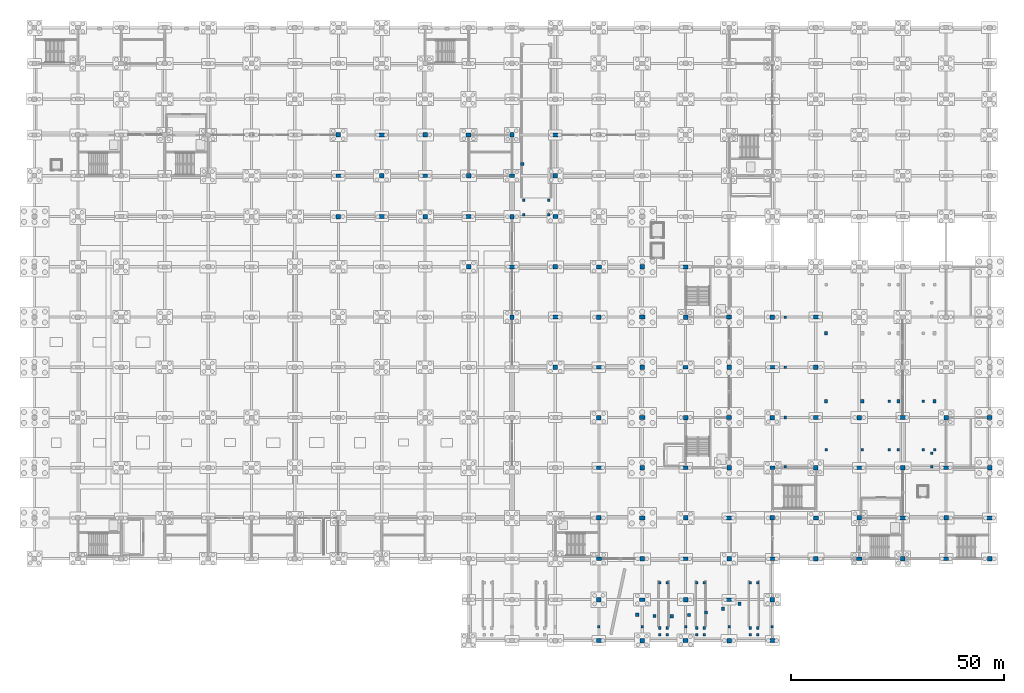
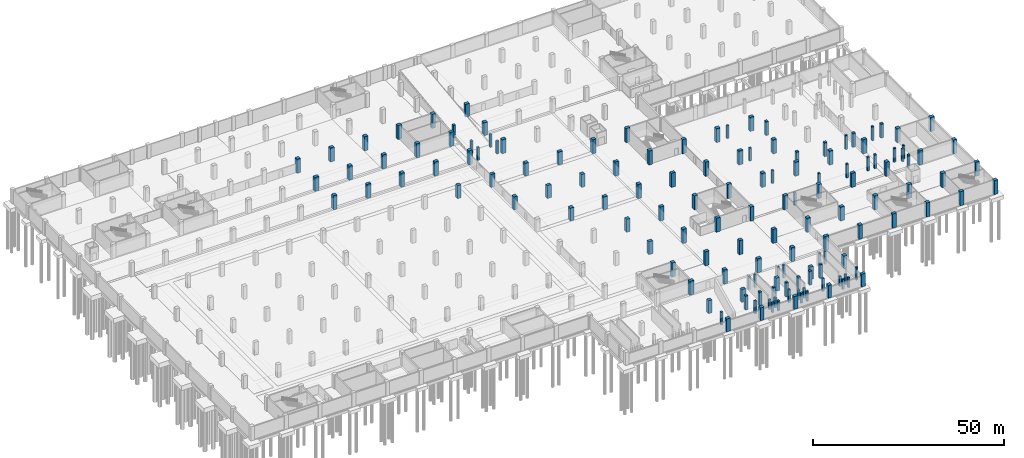
# One storey, part 23 of 52: 143 columns.
"""IFC4 building model written with IfcOpenShell, lengths in metres."""

from ifc_helpers import new_model, si_unit, direction, frame, origin, origin_2d, place, context, subcontext, project, spatial, rectangle, extrude, material, material_profile, profile_set, type_object, element, save


model = new_model("IFC4")

# Units and contexts
model_context = context("Model", 3, precision=1e-05, world=origin(), true_north=direction((0.0, 1.0)))
body_context = subcontext(model_context, "Body", "Model", "MODEL_VIEW")
ifc_project = project(units=[si_unit("LENGTHUNIT", "METRE"), si_unit("AREAUNIT", "SQUARE_METRE"), si_unit("VOLUMEUNIT", "CUBIC_METRE"), si_unit("PLANEANGLEUNIT", "RADIAN"), si_unit("MASSUNIT", "GRAM", prefix="KILO")], contexts=[model_context])

# Site, building, storey
site_placement = place(None, origin())
site = spatial("IfcSite", under=ifc_project, at=site_placement, CompositionType="ELEMENT")
building_placement = place(site_placement, origin())
building = spatial("IfcBuilding", under=site, at=building_placement, Name="Brelvane Convention Centre", CompositionType="ELEMENT")
storey_placement = place(building_placement, frame((0.0, 0.0, -4.5)))
storey = spatial("IfcBuildingStorey", under=building, at=storey_placement, Name="B1", CompositionType="ELEMENT", Elevation=-4.5)

# Columns
ifc_material_1 = material(Name="Concrete M50", Category="concrete")
ifc_material_profile_1 = material_profile(ifc_material_1, rectangle(XDim=1.050048828125, YDim=1.050048828125, at=origin_2d()), Name="RC 1050x1050")
ifc_profile_set_1 = profile_set([ifc_material_profile_1], Name="Concrete M50")
column_type_1 = type_object("IfcColumnType", Name="RC Column C-RC1 (RC 1050x1050)", PredefinedType="COLUMN", material=ifc_profile_set_1)
for number, where, z_axis, x_axis, name in (
    (1, (71.39990234375, 99.60009765625, 0.0), (0.0, 0.0, 1.0), (1.0, 0.0, 0.0), "Column 8-K (B1)"),
    (2, (71.39990234375, 118.800048828125, 0.0), (0.0, 0.0, 1.0), (1.0, 0.0, 0.0), "Column 8-M (B1)"),
    (3, (81.60009765625, 109.199951171875, 0.0), (0.0, 0.0, 1.0), (1.0, 0.0, 0.0), "Column 9-L (B1)"),
    (4, (91.800048828125, 99.60009765625, 0.0), (0.0, 0.0, 1.0), (1.0, 0.0, 0.0), "Column 10-K (B1)"),
    (5, (91.800048828125, 118.800048828125, 0.0), (0.0, 0.0, 1.0), (1.0, 0.0, 0.0), "Column 10-M (B1)"),
):
    element("IfcColumn", number, at=place(storey_placement, frame(where, z_axis=z_axis, x_axis=x_axis)), inside=storey, type_object=column_type_1, Name=name, PredefinedType="COLUMN", context=body_context, shape_type="SweptSolid", body=[
        extrude(rectangle(XDim=1.050048828125, YDim=1.050048828125, at=origin_2d()), origin(), (0.0, 0.0, 1.0), 4.5),
    ])
column_1_placement = place(storey_placement, frame((102.0, 87.800048828125, 0.0), z_axis=(0.0, 0.0, 1.0), x_axis=(1.0, 0.0, 0.0)))
element("IfcColumn", 6, at=column_1_placement, inside=storey, type_object=column_type_1, Name="Column 11-J (B1)", PredefinedType="COLUMN", context=body_context, shape_type="SweptSolid", body=[
    extrude(rectangle(XDim=1.050048828125, YDim=1.050048828125, at=origin_2d()), origin(), (0.0, 0.0, 1.0), 4.1201171875),
])
column_2_placement = place(storey_placement, frame((102.0, 109.199951171875, 0.0), z_axis=(0.0, 0.0, 1.0), x_axis=(1.0, 0.0, 0.0)))
element("IfcColumn", 7, at=column_2_placement, inside=storey, type_object=column_type_1, Name="Column 11-L (B1)", PredefinedType="COLUMN", context=body_context, shape_type="SweptSolid", body=[
    extrude(rectangle(XDim=1.050048828125, YDim=1.050048828125, at=origin_2d()), origin(), (0.0, 0.0, 1.0), 4.5),
])
column_3_placement = place(storey_placement, frame((112.199951171875, 76.0, 0.0), z_axis=(0.0, 0.0, 1.0), x_axis=(1.0, 0.0, 0.0)))
element("IfcColumn", 8, at=column_3_placement, inside=storey, type_object=column_type_1, Name="Column 12-H (B1)", PredefinedType="COLUMN", context=body_context, shape_type="SweptSolid", body=[
    extrude(rectangle(XDim=1.050048828125, YDim=1.050048828125, at=origin_2d()), origin(), (0.0, 0.0, 1.0), 4.1201171875),
])
for number, where, z_axis, x_axis, name in (
    (9, (112.199951171875, 99.60009765625, 0.0), (0.0, 0.0, 1.0), (1.0, 0.0, 0.0), "Column 12-K (B1)"),
    (10, (112.199951171875, 118.800048828125, 0.0), (0.0, 0.0, 1.0), (1.0, 0.0, 0.0), "Column 12-M (B1)"),
):
    element("IfcColumn", number, at=place(storey_placement, frame(where, z_axis=z_axis, x_axis=x_axis)), inside=storey, type_object=column_type_1, Name=name, PredefinedType="COLUMN", context=body_context, shape_type="SweptSolid", body=[
        extrude(rectangle(XDim=1.050048828125, YDim=1.050048828125, at=origin_2d()), origin(), (0.0, 0.0, 1.0), 4.5),
    ])
for number, where, z_axis, x_axis, name in (
    (11, (122.39990234375, 64.199951171875, 0.0), (0.0, 0.0, 1.0), (1.0, 0.0, 0.0), "Column 13-G (B1)"),
    (12, (122.39990234375, 87.800048828125, 0.0), (0.0, 0.0, 1.0), (1.0, 0.0, 0.0), "Column 13-J (B1)"),
):
    element("IfcColumn", number, at=place(storey_placement, frame(where, z_axis=z_axis, x_axis=x_axis)), inside=storey, type_object=column_type_1, Name=name, PredefinedType="COLUMN", context=body_context, shape_type="SweptSolid", body=[
        extrude(rectangle(XDim=1.050048828125, YDim=1.050048828125, at=origin_2d()), origin(), (0.0, 0.0, 1.0), 4.1201171875),
    ])
for number, where, z_axis, x_axis, name in (
    (13, (122.39990234375, 109.199951171875, 0.0), (0.0, 0.0, 1.0), (1.0, 0.0, 0.0), "Column 13-L (B1)"),
    (14, (132.60009765625, 9.60009765625, 0.0), (0.0, 0.0, 1.0), (1.0, 0.0, 0.0), "Column 14-B (B1)"),
):
    element("IfcColumn", number, at=place(storey_placement, frame(where, z_axis=z_axis, x_axis=x_axis)), inside=storey, type_object=column_type_1, Name=name, PredefinedType="COLUMN", context=body_context, shape_type="SweptSolid", body=[
        extrude(rectangle(XDim=1.050048828125, YDim=1.050048828125, at=origin_2d()), origin(), (0.0, 0.0, 1.0), 4.10009765625),
    ])
column_4_placement = place(storey_placement, frame((132.60009765625, 28.800048828125, 0.0), z_axis=(0.0, 0.0, 1.0), x_axis=(1.0, 0.0, 0.0)))
element("IfcColumn", 15, at=column_4_placement, inside=storey, type_object=column_type_1, Name="Column 14-D (B1)", PredefinedType="COLUMN", context=body_context, shape_type="SweptSolid", body=[
    extrude(rectangle(XDim=1.050048828125, YDim=1.050048828125, at=origin_2d()), origin(), (0.0, 0.0, 1.0), 4.5),
])
for number, where, z_axis, x_axis, name in (
    (16, (132.60009765625, 52.39990234375, 0.0), (0.0, 0.0, 1.0), (1.0, 0.0, 0.0), "Column 14-F (B1)"),
    (17, (132.60009765625, 76.0, 0.0), (0.0, 0.0, 1.0), (1.0, 0.0, 0.0), "Column 14-H (B1)"),
):
    element("IfcColumn", number, at=place(storey_placement, frame(where, z_axis=z_axis, x_axis=x_axis)), inside=storey, type_object=column_type_1, Name=name, PredefinedType="COLUMN", context=body_context, shape_type="SweptSolid", body=[
        extrude(rectangle(XDim=1.050048828125, YDim=1.050048828125, at=origin_2d()), origin(), (0.0, 0.0, 1.0), 4.1201171875),
    ])
column_5_placement = place(storey_placement, frame((142.800048828125, 0.0, 0.0), z_axis=(0.0, 0.0, 1.0), x_axis=(1.0, 0.0, 0.0)))
element("IfcColumn", 18, at=column_5_placement, inside=storey, type_object=column_type_1, Name="Column 15-A (B1)", PredefinedType="COLUMN", context=body_context, shape_type="SweptSolid", body=[
    extrude(rectangle(XDim=1.050048828125, YDim=1.050048828125, at=origin_2d()), origin(), (0.0, 0.0, 1.0), 4.10009765625),
])
for number, where, z_axis, x_axis, name in (
    (19, (142.800048828125, 19.199951171875, 0.0), (0.0, 0.0, 1.0), (1.0, 0.0, 0.0), "Column 15-C (B1)"),
    (20, (142.800048828125, 40.60009765625, 0.0), (0.0, 0.0, 1.0), (1.0, 0.0, 0.0), "Column 15-E (B1)"),
    (21, (142.800048828125, 64.199951171875, 0.0), (0.0, 0.0, 1.0), (1.0, 0.0, 0.0), "Column 15-G (B1)"),
    (22, (142.800048828125, 87.800048828125, 0.0), (0.0, 0.0, 1.0), (1.0, 0.0, 0.0), "Column 15-J (B1)"),
):
    element("IfcColumn", number, at=place(storey_placement, frame(where, z_axis=z_axis, x_axis=x_axis)), inside=storey, type_object=column_type_1, Name=name, PredefinedType="COLUMN", context=body_context, shape_type="SweptSolid", body=[
        extrude(rectangle(XDim=1.050048828125, YDim=1.050048828125, at=origin_2d()), origin(), (0.0, 0.0, 1.0), 4.5),
    ])
column_6_placement = place(storey_placement, frame((153.0, 9.60009765625, 0.0), z_axis=(0.0, 0.0, 1.0), x_axis=(1.0, 0.0, 0.0)))
element("IfcColumn", 23, at=column_6_placement, inside=storey, type_object=column_type_1, Name="Column 16-B (B1)", PredefinedType="COLUMN", context=body_context, shape_type="SweptSolid", body=[
    extrude(rectangle(XDim=1.050048828125, YDim=1.050048828125, at=origin_2d()), origin(), (0.0, 0.0, 1.0), 4.10009765625),
])
for number, where, z_axis, x_axis, name in (
    (24, (153.0, 28.800048828125, 0.0), (0.0, 0.0, 1.0), (1.0, 0.0, 0.0), "Column 16-D (B1)"),
    (25, (153.0, 52.39990234375, 0.0), (0.0, 0.0, 1.0), (1.0, 0.0, 0.0), "Column 16-F (B1)"),
    (26, (153.0, 76.0, 0.0), (0.0, 0.0, 1.0), (1.0, 0.0, 0.0), "Column 16-H (B1)"),
):
    element("IfcColumn", number, at=place(storey_placement, frame(where, z_axis=z_axis, x_axis=x_axis)), inside=storey, type_object=column_type_1, Name=name, PredefinedType="COLUMN", context=body_context, shape_type="SweptSolid", body=[
        extrude(rectangle(XDim=1.050048828125, YDim=1.050048828125, at=origin_2d()), origin(), (0.0, 0.0, 1.0), 4.5),
    ])
column_7_placement = place(storey_placement, frame((163.199951171875, 0.0, 0.0), z_axis=(0.0, 0.0, 1.0), x_axis=(1.0, 0.0, 0.0)))
element("IfcColumn", 27, at=column_7_placement, inside=storey, type_object=column_type_1, Name="Column 17-A (B1)", PredefinedType="COLUMN", context=body_context, shape_type="SweptSolid", body=[
    extrude(rectangle(XDim=1.050048828125, YDim=1.050048828125, at=origin_2d()), origin(), (0.0, 0.0, 1.0), 4.10009765625),
])
for number, where, z_axis, x_axis, name in (
    (28, (163.199951171875, 19.199951171875, 0.0), (0.0, 0.0, 1.0), (1.0, 0.0, 0.0), "Column 17-C (B1)"),
    (29, (163.199951171875, 40.60009765625, 0.0), (0.0, 0.0, 1.0), (1.0, 0.0, 0.0), "Column 17-E (B1)"),
    (30, (163.199951171875, 64.199951171875, 0.0), (0.0, 0.0, 1.0), (1.0, 0.0, 0.0), "Column 17-G (B1)"),
):
    element("IfcColumn", number, at=place(storey_placement, frame(where, z_axis=z_axis, x_axis=x_axis)), inside=storey, type_object=column_type_1, Name=name, PredefinedType="COLUMN", context=body_context, shape_type="SweptSolid", body=[
        extrude(rectangle(XDim=1.050048828125, YDim=1.050048828125, at=origin_2d()), origin(), (0.0, 0.0, 1.0), 4.5),
    ])
column_8_placement = place(storey_placement, frame((173.39990234375, 9.60009765625, 0.0), z_axis=(0.0, 0.0, 1.0), x_axis=(1.0, 0.0, 0.0)))
element("IfcColumn", 31, at=column_8_placement, inside=storey, type_object=column_type_1, Name="Column 18-B (B1)", PredefinedType="COLUMN", context=body_context, shape_type="SweptSolid", body=[
    extrude(rectangle(XDim=1.050048828125, YDim=1.050048828125, at=origin_2d()), origin(), (0.0, 0.0, 1.0), 4.10009765625),
])
for number, where, z_axis, x_axis, name in (
    (32, (173.39990234375, 28.800048828125, 0.0), (0.0, 0.0, 1.0), (1.0, 0.0, 0.0), "Column 18-D (B1)"),
    (33, (173.39990234375, 52.39990234375, 0.0), (0.0, 0.0, 1.0), (1.0, 0.0, 0.0), "Column 18-F (B1)"),
    (34, (173.39990234375, 76.0, 0.0), (0.0, 0.0, 1.0), (1.0, 0.0, 0.0), "Column 18-H (B1)"),
    (35, (183.60009765625, 19.199951171875, 0.0), (0.0, 0.0, 1.0), (1.0, 0.0, 0.0), "Column 19-C (B1)"),
    (36, (183.60009765625, 40.60009765625, 0.0), (0.0, 0.0, 1.0), (1.0, 0.0, 0.0), "Column 19-E (B1)"),
    (37, (183.60009765625, 64.199951171875, 0.0), (0.0, 0.0, 1.0), (1.0, 0.0, 0.0), "Column 19-G (B1)"),
    (38, (193.800048828125, 28.800048828125, 0.0), (0.0, 0.0, 1.0), (1.0, 0.0, 0.0), "Column 20-D (B1)"),
    (39, (193.800048828125, 52.39990234375, 0.0), (0.0, 0.0, 1.0), (1.0, 0.0, 0.0), "Column 20-F (B1)"),
    (40, (204.0, 19.199951171875, 0.0), (0.0, 0.0, 1.0), (1.0, 0.0, 0.0), "Column 21-C (B1)"),
    (41, (204.0, 40.60009765625, 0.0), (0.0, 0.0, 1.0), (1.0, 0.0, 0.0), "Column 21-E (B1)"),
    (42, (214.199951171875, 28.800048828125, 0.0), (0.0, 0.0, 1.0), (1.0, 0.0, 0.0), "Column 22-D (B1)"),
    (43, (214.199951171875, 52.39990234375, 0.0), (0.0, 0.0, 1.0), (1.0, 0.0, 0.0), "Column 22-F (B1)"),
    (44, (224.39990234375, 19.199951171875, 0.0), (0.0, 0.0, 1.0), (1.0, 0.0, 0.0), "Column 23-C (B1)"),
    (45, (224.39990234375, 40.60009765625, 0.0), (0.0, 0.0, 1.0), (1.0, 0.0, 0.0), "Column 23-E (B1)"),
):
    element("IfcColumn", number, at=place(storey_placement, frame(where, z_axis=z_axis, x_axis=x_axis)), inside=storey, type_object=column_type_1, Name=name, PredefinedType="COLUMN", context=body_context, shape_type="SweptSolid", body=[
        extrude(rectangle(XDim=1.050048828125, YDim=1.050048828125, at=origin_2d()), origin(), (0.0, 0.0, 1.0), 4.5),
    ])
ifc_material_2 = material(Name="Concrete M50", Category="concrete")
ifc_material_profile_2 = material_profile(ifc_material_2, rectangle(XDim=0.75, YDim=0.75, at=origin_2d()), Name="RC 750x750")
ifc_profile_set_2 = profile_set([ifc_material_profile_2], Name="Concrete M50")
column_type_2 = type_object("IfcColumnType", Name="RC Column C-RC3 (RC 750x750)", PredefinedType="COLUMN", material=ifc_profile_set_2)
for number, where, z_axis, x_axis, name in (
    (46, (165.67138671875, 8.62744140625, 0.0), (0.0, 0.0, 1.0), (1.0, 0.0, 0.0), "Canopy Pedestal Column 03"),
    (47, (161.77880859375, 7.46044921875, 0.0), (0.0, 0.0, 1.0), (1.0, 0.0, 0.0), "Canopy Pedestal Column 07"),
    (48, (157.81005859375, 6.585205078125, 0.0), (0.0, 0.0, 1.0), (1.0, 0.0, 0.0), "Canopy Pedestal Column 11"),
    (49, (153.78759765625, 6.006591796875, 0.0), (0.0, 0.0, 1.0), (1.0, 0.0, 0.0), "Canopy Pedestal Column 15"),
    (50, (149.7333984375, 5.727294921875, 0.0), (0.0, 0.0, 1.0), (1.0, 0.0, 0.0), "Canopy Pedestal Column 19"),
    (51, (145.66943359375, 5.74951171875, 0.0), (0.0, 0.0, 1.0), (1.0, 0.0, 0.0), "Canopy Pedestal Column 23"),
    (52, (141.618408203125, 6.072998046875, 0.0), (0.0, 0.0, 1.0), (1.0, 0.0, 0.0), "Canopy Pedestal Column 27"),
):
    element("IfcColumn", number, at=place(storey_placement, frame(where, z_axis=z_axis, x_axis=x_axis)), inside=storey, type_object=column_type_2, Name=name, PredefinedType="COLUMN", context=body_context, shape_type="SweptSolid", body=[
        extrude(rectangle(XDim=0.75, YDim=0.75, at=origin_2d()), origin(), (0.0, 0.0, 1.0), 4.5),
    ])
column_9_placement = place(storey_placement, frame((114.60009765625, 112.0, 0.0), z_axis=(0.0, 0.0, 1.0), x_axis=(1.0, 0.0, 0.0)))
element("IfcColumn", 53, at=column_9_placement, inside=storey, type_object=column_type_2, Name="Service Ramp Apron Support Column 1", PredefinedType="COLUMN", context=body_context, shape_type="SweptSolid", body=[
    extrude(rectangle(XDim=0.75, YDim=0.75, at=origin_2d()), origin(), (0.0, 0.0, 1.0), 4.10009765625),
])
for number, where, z_axis, x_axis, name in (
    (54, (186.0, 56.199951171875, 0.0), (0.0, 0.0, 1.0), (1.0, 0.0, 0.0), "Plenary Bowl Tier Column B1 L1-Y56"),
    (55, (186.0, 72.199951171875, 0.0), (0.0, 0.0, 1.0), (1.0, 0.0, 0.0), "Plenary Bowl Tier Column B1 L1-Y72"),
    (56, (194.5, 56.199951171875, 0.0), (0.0, 0.0, 1.0), (1.0, 0.0, 0.0), "Plenary Bowl Tier Column B1 L2-Y56"),
    (57, (203.0, 56.199951171875, 0.0), (0.0, 0.0, 1.0), (1.0, 0.0, 0.0), "Plenary Bowl Tier Column B1 L3-Y56"),
    (58, (211.5, 56.199951171875, 0.0), (0.0, 0.0, 1.0), (1.0, 0.0, 0.0), "Plenary Bowl Tier Column B1 L4-Y56"),
):
    element("IfcColumn", number, at=place(storey_placement, frame(where, z_axis=z_axis, x_axis=x_axis)), inside=storey, type_object=column_type_2, Name=name, PredefinedType="COLUMN", context=body_context, shape_type="SweptSolid", body=[
        extrude(rectangle(XDim=0.75, YDim=0.75, at=origin_2d()), origin(), (0.0, 0.0, 1.0), 4.5),
    ])
ifc_material_3 = material(Name="Concrete M50", Category="concrete")
ifc_material_profile_3 = material_profile(ifc_material_3, rectangle(XDim=0.60009765625, YDim=0.60009765625, at=origin_2d()), Name="RC 600x600")
ifc_profile_set_3 = profile_set([ifc_material_profile_3], Name="Concrete M50")
column_type_3 = type_object("IfcColumnType", Name="RC Column C-RC4 (RC 600x600)", PredefinedType="COLUMN", material=ifc_profile_set_3)
for number, where, z_axis, x_axis, name in (
    (59, (132.60009765625, 3.199951171875, 0.0), (0.0, 0.0, 1.0), (1.0, 0.0, 0.0), "Plaza Step Edge Column 4"),
    (60, (142.800048828125, 3.199951171875, 0.0), (0.0, 0.0, 1.0), (1.0, 0.0, 0.0), "Plaza Step Edge Column 5"),
    (61, (153.0, 3.199951171875, 0.0), (0.0, 0.0, 1.0), (1.0, 0.0, 0.0), "Plaza Step Edge Column 6"),
    (62, (163.199951171875, 3.199951171875, 0.0), (0.0, 0.0, 1.0), (1.0, 0.0, 0.0), "Plaza Step Edge Column 7"),
    (63, (173.39990234375, 3.199951171875, 0.0), (0.0, 0.0, 1.0), (1.0, 0.0, 0.0), "Plaza Step Edge Column 8"),
    (64, (115.0, 100.0, 0.0), (0.0, 0.0, 1.0), (1.0, 0.0, 0.0), "VR1 South B1 Column 1"),
    (65, (120.800048828125, 100.0, 0.0), (0.0, 0.0, 1.0), (1.0, 0.0, 0.0), "VR1 South B1 Column 2"),
    (66, (115.0, 103.5, 0.0), (0.0, 0.0, 1.0), (1.0, 0.0, 0.0), "VR1 South B1 Column 3"),
    (67, (120.800048828125, 103.5, 0.0), (0.0, 0.0, 1.0), (1.0, 0.0, 0.0), "VR1 South B1 Column 4"),
):
    element("IfcColumn", number, at=place(storey_placement, frame(where, z_axis=z_axis, x_axis=x_axis)), inside=storey, type_object=column_type_3, Name=name, PredefinedType="COLUMN", context=body_context, shape_type="SweptSolid", body=[
        extrude(rectangle(XDim=0.60009765625, YDim=0.60009765625, at=origin_2d()), origin(), (0.0, 0.0, 1.0), 4.10009765625),
    ])
for number, where, z_axis, x_axis, name in (
    (68, (146.949951171875, 1.35009765625, 0.0), (0.0, 0.0, 1.0), (1.0, 0.0, 0.0), "Ramp AR-03 Bottom Pedestal 1"),
    (69, (148.68994140625, 1.35009765625, 0.0), (0.0, 0.0, 1.0), (1.0, 0.0, 0.0), "Ramp AR-03 Bottom Pedestal 2"),
    (70, (146.949951171875, 2.949951171875, 0.0), (0.0, 0.0, 1.0), (1.0, 0.0, 0.0), "Ramp AR-03 Bottom Pedestal 3"),
    (71, (148.68994140625, 2.949951171875, 0.0), (0.0, 0.0, 1.0), (1.0, 0.0, 0.0), "Ramp AR-03 Bottom Pedestal 4"),
):
    element("IfcColumn", number, at=place(storey_placement, frame(where, z_axis=z_axis, x_axis=x_axis)), inside=storey, type_object=column_type_3, Name=name, PredefinedType="COLUMN", context=body_context, shape_type="SweptSolid", body=[
        extrude(rectangle(XDim=0.60009765625, YDim=0.60009765625, at=origin_2d()), origin(), (0.0, 0.0, 1.0), 3.199951171875),
    ])
for number, where, z_axis, x_axis, name in (
    (72, (146.949951171875, 13.60009765625, 0.0), (0.0, 0.0, 1.0), (1.0, 0.0, 0.0), "Ramp AR-03 Top Pedestal 1"),
    (73, (148.68994140625, 13.60009765625, 0.0), (0.0, 0.0, 1.0), (1.0, 0.0, 0.0), "Ramp AR-03 Top Pedestal 2"),
):
    element("IfcColumn", number, at=place(storey_placement, frame(where, z_axis=z_axis, x_axis=x_axis)), inside=storey, type_object=column_type_3, Name=name, PredefinedType="COLUMN", context=body_context, shape_type="SweptSolid", body=[
        extrude(rectangle(XDim=0.60009765625, YDim=0.60009765625, at=origin_2d()), origin(), (0.0, 0.0, 1.0), 4.10009765625),
    ])
for number, where, z_axis, x_axis, name in (
    (74, (155.64990234375, 1.35009765625, 0.0), (0.0, 0.0, 1.0), (1.0, 0.0, 0.0), "Ramp AR-04 Bottom Pedestal 1"),
    (75, (157.389892578125, 1.35009765625, 0.0), (0.0, 0.0, 1.0), (1.0, 0.0, 0.0), "Ramp AR-04 Bottom Pedestal 2"),
    (76, (155.64990234375, 2.949951171875, 0.0), (0.0, 0.0, 1.0), (1.0, 0.0, 0.0), "Ramp AR-04 Bottom Pedestal 3"),
    (77, (157.389892578125, 2.949951171875, 0.0), (0.0, 0.0, 1.0), (1.0, 0.0, 0.0), "Ramp AR-04 Bottom Pedestal 4"),
):
    element("IfcColumn", number, at=place(storey_placement, frame(where, z_axis=z_axis, x_axis=x_axis)), inside=storey, type_object=column_type_3, Name=name, PredefinedType="COLUMN", context=body_context, shape_type="SweptSolid", body=[
        extrude(rectangle(XDim=0.60009765625, YDim=0.60009765625, at=origin_2d()), origin(), (0.0, 0.0, 1.0), 3.199951171875),
    ])
for number, where, z_axis, x_axis, name in (
    (78, (155.64990234375, 13.60009765625, 0.0), (0.0, 0.0, 1.0), (1.0, 0.0, 0.0), "Ramp AR-04 Top Pedestal 1"),
    (79, (157.389892578125, 13.60009765625, 0.0), (0.0, 0.0, 1.0), (1.0, 0.0, 0.0), "Ramp AR-04 Top Pedestal 2"),
):
    element("IfcColumn", number, at=place(storey_placement, frame(where, z_axis=z_axis, x_axis=x_axis)), inside=storey, type_object=column_type_3, Name=name, PredefinedType="COLUMN", context=body_context, shape_type="SweptSolid", body=[
        extrude(rectangle(XDim=0.60009765625, YDim=0.60009765625, at=origin_2d()), origin(), (0.0, 0.0, 1.0), 4.10009765625),
    ])
for number, where, z_axis, x_axis, name in (
    (80, (168.14990234375, 1.35009765625, 0.0), (0.0, 0.0, 1.0), (1.0, 0.0, 0.0), "Ramp AR-05 Bottom Pedestal 1"),
    (81, (169.889892578125, 1.35009765625, 0.0), (0.0, 0.0, 1.0), (1.0, 0.0, 0.0), "Ramp AR-05 Bottom Pedestal 2"),
    (82, (168.14990234375, 2.949951171875, 0.0), (0.0, 0.0, 1.0), (1.0, 0.0, 0.0), "Ramp AR-05 Bottom Pedestal 3"),
    (83, (169.889892578125, 2.949951171875, 0.0), (0.0, 0.0, 1.0), (1.0, 0.0, 0.0), "Ramp AR-05 Bottom Pedestal 4"),
):
    element("IfcColumn", number, at=place(storey_placement, frame(where, z_axis=z_axis, x_axis=x_axis)), inside=storey, type_object=column_type_3, Name=name, PredefinedType="COLUMN", context=body_context, shape_type="SweptSolid", body=[
        extrude(rectangle(XDim=0.60009765625, YDim=0.60009765625, at=origin_2d()), origin(), (0.0, 0.0, 1.0), 3.199951171875),
    ])
for number, where, z_axis, x_axis, name in (
    (84, (168.14990234375, 13.60009765625, 0.0), (0.0, 0.0, 1.0), (1.0, 0.0, 0.0), "Ramp AR-05 Top Pedestal 1"),
    (85, (169.889892578125, 13.60009765625, 0.0), (0.0, 0.0, 1.0), (1.0, 0.0, 0.0), "Ramp AR-05 Top Pedestal 2"),
    (86, (210.800048828125, 40.800048828125, 0.0), (0.0, 0.0, 1.0), (1.0, 0.0, 0.0), "Plenary Gallery B1 Column 1"),
    (87, (210.800048828125, 44.0, 0.0), (0.0, 0.0, 1.0), (1.0, 0.0, 0.0), "Plenary Gallery B1 Column 2"),
    (88, (176.39990234375, 40.800048828125, 0.0), (0.0, 0.0, 1.0), (1.0, 0.0, 0.0), "Plenary Gallery B1 Column 5"),
    (89, (176.39990234375, 52.39990234375, 0.0), (0.0, 0.0, 1.0), (1.0, 0.0, 0.0), "Plenary Gallery B1 Column 6"),
    (90, (176.39990234375, 64.199951171875, 0.0), (0.0, 0.0, 1.0), (1.0, 0.0, 0.0), "Plenary Gallery B1 Column 7"),
    (91, (176.39990234375, 76.0, 0.0), (0.0, 0.0, 1.0), (1.0, 0.0, 0.0), "Plenary Gallery B1 Column 8"),
):
    element("IfcColumn", number, at=place(storey_placement, frame(where, z_axis=z_axis, x_axis=x_axis)), inside=storey, type_object=column_type_3, Name=name, PredefinedType="COLUMN", context=body_context, shape_type="SweptSolid", body=[
        extrude(rectangle(XDim=0.60009765625, YDim=0.60009765625, at=origin_2d()), origin(), (0.0, 0.0, 1.0), 4.10009765625),
    ])
for number, where, z_axis, x_axis, name in (
    (92, (186.0, 44.800048828125, 0.0), (0.0, 0.0, 1.0), (1.0, 0.0, 0.0), "Plenary Bowl Edge Column B1 L1-Y44"),
    (93, (194.5, 44.800048828125, 0.0), (0.0, 0.0, 1.0), (1.0, 0.0, 0.0), "Plenary Bowl Edge Column B1 L2-Y44"),
    (94, (203.0, 44.800048828125, 0.0), (0.0, 0.0, 1.0), (1.0, 0.0, 0.0), "Plenary Bowl Edge Column B1 L3-Y44"),
    (95, (211.5, 44.800048828125, 0.0), (0.0, 0.0, 1.0), (1.0, 0.0, 0.0), "Plenary Bowl Edge Column B1 L4-Y44"),
    (96, (200.800048828125, 44.800048828125, 0.0), (0.0, 0.0, 1.0), (1.0, 0.0, 0.0), "Plenary Balcony Tier Column B1 U1-Y44"),
    (97, (200.800048828125, 56.199951171875, 0.0), (0.0, 0.0, 1.0), (1.0, 0.0, 0.0), "Plenary Balcony Tier Column B1 U1-Y56"),
    (98, (208.800048828125, 44.800048828125, 0.0), (0.0, 0.0, 1.0), (1.0, 0.0, 0.0), "Plenary Balcony Tier Column B1 U2-Y44"),
    (99, (208.800048828125, 56.199951171875, 0.0), (0.0, 0.0, 1.0), (1.0, 0.0, 0.0), "Plenary Balcony Tier Column B1 U2-Y56"),
):
    element("IfcColumn", number, at=place(storey_placement, frame(where, z_axis=z_axis, x_axis=x_axis)), inside=storey, type_object=column_type_3, Name=name, PredefinedType="COLUMN", context=body_context, shape_type="SweptSolid", body=[
        extrude(rectangle(XDim=0.60009765625, YDim=0.60009765625, at=origin_2d()), origin(), (0.0, 0.0, 1.0), 4.5),
    ])
ifc_material_4 = material(Name="Concrete M50", Category="concrete")
ifc_material_profile_4 = material_profile(ifc_material_4, rectangle(XDim=1.199951171875, YDim=0.89990234375, at=origin_2d()), Name="RC 1200x900")
ifc_profile_set_4 = profile_set([ifc_material_profile_4], Name="Concrete M50")
column_type_4 = type_object("IfcColumnType", Name="RC Column C-RC5 (RC 1200x900)", PredefinedType="COLUMN", material=ifc_profile_set_4)
for number, where, z_axis, x_axis, name in (
    (100, (71.39990234375, 109.199951171875, 0.0), (0.0, 0.0, 1.0), (1.0, 0.0, 0.0), "Column 8-L (B1)"),
    (101, (81.60009765625, 99.60009765625, 0.0), (0.0, 0.0, 1.0), (1.0, 0.0, 0.0), "Column 9-K (B1)"),
    (102, (81.60009765625, 118.800048828125, 0.0), (0.0, 0.0, 1.0), (1.0, 0.0, 0.0), "Column 9-M (B1)"),
    (103, (91.800048828125, 109.199951171875, 0.0), (0.0, 0.0, 1.0), (1.0, 0.0, 0.0), "Column 10-L (B1)"),
    (104, (102.0, 99.60009765625, 0.0), (0.0, 0.0, 1.0), (1.0, 0.0, 0.0), "Column 11-K (B1)"),
    (105, (102.0, 118.800048828125, 0.0), (0.0, 0.0, 1.0), (1.0, 0.0, 0.0), "Column 11-M (B1)"),
):
    element("IfcColumn", number, at=place(storey_placement, frame(where, z_axis=z_axis, x_axis=x_axis)), inside=storey, type_object=column_type_4, Name=name, PredefinedType="COLUMN", context=body_context, shape_type="SweptSolid", body=[
        extrude(rectangle(XDim=1.199951171875, YDim=0.89990234375, at=origin_2d()), origin(), (0.0, 0.0, 1.0), 4.5),
    ])
column_10_placement = place(storey_placement, frame((112.199951171875, 87.800048828125, 0.0), z_axis=(0.0, 0.0, 1.0), x_axis=(1.0, 0.0, 0.0)))
element("IfcColumn", 106, at=column_10_placement, inside=storey, type_object=column_type_4, Name="Column 12-J (B1)", PredefinedType="COLUMN", context=body_context, shape_type="SweptSolid", body=[
    extrude(rectangle(XDim=1.199951171875, YDim=0.89990234375, at=origin_2d()), origin(), (0.0, 0.0, 1.0), 4.1201171875),
])
column_11_placement = place(storey_placement, frame((112.199951171875, 109.199951171875, 0.0), z_axis=(0.0, 0.0, 1.0), x_axis=(1.0, 0.0, 0.0)))
element("IfcColumn", 107, at=column_11_placement, inside=storey, type_object=column_type_4, Name="Column 12-L (B1)", PredefinedType="COLUMN", context=body_context, shape_type="SweptSolid", body=[
    extrude(rectangle(XDim=1.199951171875, YDim=0.89990234375, at=origin_2d()), origin(), (0.0, 0.0, 1.0), 4.5),
])
column_12_placement = place(storey_placement, frame((122.39990234375, 76.0, 0.0), z_axis=(0.0, 0.0, 1.0), x_axis=(1.0, 0.0, 0.0)))
element("IfcColumn", 108, at=column_12_placement, inside=storey, type_object=column_type_4, Name="Column 13-H (B1)", PredefinedType="COLUMN", context=body_context, shape_type="SweptSolid", body=[
    extrude(rectangle(XDim=1.199951171875, YDim=0.89990234375, at=origin_2d()), origin(), (0.0, 0.0, 1.0), 4.1201171875),
])
column_13_placement = place(storey_placement, frame((122.39990234375, 99.60009765625, 0.0), z_axis=(0.0, 0.0, 1.0), x_axis=(1.0, 0.0, 0.0)))
element("IfcColumn", 109, at=column_13_placement, inside=storey, type_object=column_type_4, Name="Column 13-K (B1)", PredefinedType="COLUMN", context=body_context, shape_type="SweptSolid", body=[
    extrude(rectangle(XDim=1.199951171875, YDim=0.89990234375, at=origin_2d()), origin(), (0.0, 0.0, 1.0), 4.5),
])
for number, where, z_axis, x_axis, name in (
    (110, (122.39990234375, 118.800048828125, 0.0), (0.0, 0.0, 1.0), (1.0, 0.0, 0.0), "Column 13-M (B1)"),
    (111, (132.60009765625, 0.0, 0.0), (0.0, 0.0, 1.0), (1.0, 0.0, 0.0), "Column 14-A (B1)"),
):
    element("IfcColumn", number, at=place(storey_placement, frame(where, z_axis=z_axis, x_axis=x_axis)), inside=storey, type_object=column_type_4, Name=name, PredefinedType="COLUMN", context=body_context, shape_type="SweptSolid", body=[
        extrude(rectangle(XDim=1.199951171875, YDim=0.89990234375, at=origin_2d()), origin(), (0.0, 0.0, 1.0), 4.10009765625),
    ])
column_14_placement = place(storey_placement, frame((132.60009765625, 19.199951171875, 0.0), z_axis=(0.0, 0.0, 1.0), x_axis=(1.0, 0.0, 0.0)))
element("IfcColumn", 112, at=column_14_placement, inside=storey, type_object=column_type_4, Name="Column 14-C (B1)", PredefinedType="COLUMN", context=body_context, shape_type="SweptSolid", body=[
    extrude(rectangle(XDim=1.199951171875, YDim=0.89990234375, at=origin_2d()), origin(), (0.0, 0.0, 1.0), 4.5),
])
for number, where, z_axis, x_axis, name in (
    (113, (132.60009765625, 40.60009765625, 0.0), (0.0, 0.0, 1.0), (1.0, 0.0, 0.0), "Column 14-E (B1)"),
    (114, (132.60009765625, 64.199951171875, 0.0), (0.0, 0.0, 1.0), (1.0, 0.0, 0.0), "Column 14-G (B1)"),
    (115, (132.60009765625, 87.800048828125, 0.0), (0.0, 0.0, 1.0), (1.0, 0.0, 0.0), "Column 14-J (B1)"),
):
    element("IfcColumn", number, at=place(storey_placement, frame(where, z_axis=z_axis, x_axis=x_axis)), inside=storey, type_object=column_type_4, Name=name, PredefinedType="COLUMN", context=body_context, shape_type="SweptSolid", body=[
        extrude(rectangle(XDim=1.199951171875, YDim=0.89990234375, at=origin_2d()), origin(), (0.0, 0.0, 1.0), 4.1201171875),
    ])
column_15_placement = place(storey_placement, frame((142.800048828125, 9.60009765625, 0.0), z_axis=(0.0, 0.0, 1.0), x_axis=(1.0, 0.0, 0.0)))
element("IfcColumn", 116, at=column_15_placement, inside=storey, type_object=column_type_4, Name="Column 15-B (B1)", PredefinedType="COLUMN", context=body_context, shape_type="SweptSolid", body=[
    extrude(rectangle(XDim=1.199951171875, YDim=0.89990234375, at=origin_2d()), origin(), (0.0, 0.0, 1.0), 4.10009765625),
])
for number, where, z_axis, x_axis, name in (
    (117, (142.800048828125, 28.800048828125, 0.0), (0.0, 0.0, 1.0), (1.0, 0.0, 0.0), "Column 15-D (B1)"),
    (118, (142.800048828125, 52.39990234375, 0.0), (0.0, 0.0, 1.0), (1.0, 0.0, 0.0), "Column 15-F (B1)"),
    (119, (142.800048828125, 76.0, 0.0), (0.0, 0.0, 1.0), (1.0, 0.0, 0.0), "Column 15-H (B1)"),
):
    element("IfcColumn", number, at=place(storey_placement, frame(where, z_axis=z_axis, x_axis=x_axis)), inside=storey, type_object=column_type_4, Name=name, PredefinedType="COLUMN", context=body_context, shape_type="SweptSolid", body=[
        extrude(rectangle(XDim=1.199951171875, YDim=0.89990234375, at=origin_2d()), origin(), (0.0, 0.0, 1.0), 4.5),
    ])
column_16_placement = place(storey_placement, frame((153.0, 0.0, 0.0), z_axis=(0.0, 0.0, 1.0), x_axis=(1.0, 0.0, 0.0)))
element("IfcColumn", 120, at=column_16_placement, inside=storey, type_object=column_type_4, Name="Column 16-A (B1)", PredefinedType="COLUMN", context=body_context, shape_type="SweptSolid", body=[
    extrude(rectangle(XDim=1.199951171875, YDim=0.89990234375, at=origin_2d()), origin(), (0.0, 0.0, 1.0), 4.10009765625),
])
for number, where, z_axis, x_axis, name in (
    (121, (153.0, 19.199951171875, 0.0), (0.0, 0.0, 1.0), (1.0, 0.0, 0.0), "Column 16-C (B1)"),
    (122, (153.0, 40.60009765625, 0.0), (0.0, 0.0, 1.0), (1.0, 0.0, 0.0), "Column 16-E (B1)"),
    (123, (153.0, 64.199951171875, 0.0), (0.0, 0.0, 1.0), (1.0, 0.0, 0.0), "Column 16-G (B1)"),
    (124, (153.0, 87.800048828125, 0.0), (0.0, 0.0, 1.0), (1.0, 0.0, 0.0), "Column 16-J (B1)"),
):
    element("IfcColumn", number, at=place(storey_placement, frame(where, z_axis=z_axis, x_axis=x_axis)), inside=storey, type_object=column_type_4, Name=name, PredefinedType="COLUMN", context=body_context, shape_type="SweptSolid", body=[
        extrude(rectangle(XDim=1.199951171875, YDim=0.89990234375, at=origin_2d()), origin(), (0.0, 0.0, 1.0), 4.5),
    ])
column_17_placement = place(storey_placement, frame((163.199951171875, 9.60009765625, 0.0), z_axis=(0.0, 0.0, 1.0), x_axis=(1.0, 0.0, 0.0)))
element("IfcColumn", 125, at=column_17_placement, inside=storey, type_object=column_type_4, Name="Column 17-B (B1)", PredefinedType="COLUMN", context=body_context, shape_type="SweptSolid", body=[
    extrude(rectangle(XDim=1.199951171875, YDim=0.89990234375, at=origin_2d()), origin(), (0.0, 0.0, 1.0), 4.10009765625),
])
for number, where, z_axis, x_axis, name in (
    (126, (163.199951171875, 28.800048828125, 0.0), (0.0, 0.0, 1.0), (1.0, 0.0, 0.0), "Column 17-D (B1)"),
    (127, (163.199951171875, 52.39990234375, 0.0), (0.0, 0.0, 1.0), (1.0, 0.0, 0.0), "Column 17-F (B1)"),
    (128, (163.199951171875, 76.0, 0.0), (0.0, 0.0, 1.0), (1.0, 0.0, 0.0), "Column 17-H (B1)"),
):
    element("IfcColumn", number, at=place(storey_placement, frame(where, z_axis=z_axis, x_axis=x_axis)), inside=storey, type_object=column_type_4, Name=name, PredefinedType="COLUMN", context=body_context, shape_type="SweptSolid", body=[
        extrude(rectangle(XDim=1.199951171875, YDim=0.89990234375, at=origin_2d()), origin(), (0.0, 0.0, 1.0), 4.5),
    ])
column_18_placement = place(storey_placement, frame((173.39990234375, 0.0, 0.0), z_axis=(0.0, 0.0, 1.0), x_axis=(1.0, 0.0, 0.0)))
element("IfcColumn", 129, at=column_18_placement, inside=storey, type_object=column_type_4, Name="Column 18-A (B1)", PredefinedType="COLUMN", context=body_context, shape_type="SweptSolid", body=[
    extrude(rectangle(XDim=1.199951171875, YDim=0.89990234375, at=origin_2d()), origin(), (0.0, 0.0, 1.0), 4.10009765625),
])
for number, where, z_axis, x_axis, name in (
    (130, (173.39990234375, 19.199951171875, 0.0), (0.0, 0.0, 1.0), (1.0, 0.0, 0.0), "Column 18-C (B1)"),
    (131, (173.39990234375, 40.60009765625, 0.0), (0.0, 0.0, 1.0), (1.0, 0.0, 0.0), "Column 18-E (B1)"),
    (132, (173.39990234375, 64.199951171875, 0.0), (0.0, 0.0, 1.0), (1.0, 0.0, 0.0), "Column 18-G (B1)"),
    (133, (183.60009765625, 28.800048828125, 0.0), (0.0, 0.0, 1.0), (1.0, 0.0, 0.0), "Column 19-D (B1)"),
    (134, (183.60009765625, 52.39990234375, 0.0), (0.0, 0.0, 1.0), (1.0, 0.0, 0.0), "Column 19-F (B1)"),
    (135, (183.60009765625, 76.0, 0.0), (0.0, 0.0, 1.0), (1.0, 0.0, 0.0), "Column 19-H (B1)"),
    (136, (193.800048828125, 19.199951171875, 0.0), (0.0, 0.0, 1.0), (1.0, 0.0, 0.0), "Column 20-C (B1)"),
    (137, (193.800048828125, 40.60009765625, 0.0), (0.0, 0.0, 1.0), (1.0, 0.0, 0.0), "Column 20-E (B1)"),
    (138, (204.0, 28.800048828125, 0.0), (0.0, 0.0, 1.0), (1.0, 0.0, 0.0), "Column 21-D (B1)"),
    (139, (204.0, 52.39990234375, 0.0), (0.0, 0.0, 1.0), (1.0, 0.0, 0.0), "Column 21-F (B1)"),
    (140, (214.199951171875, 19.199951171875, 0.0), (0.0, 0.0, 1.0), (1.0, 0.0, 0.0), "Column 22-C (B1)"),
    (141, (214.199951171875, 40.60009765625, 0.0), (0.0, 0.0, 1.0), (1.0, 0.0, 0.0), "Column 22-E (B1)"),
    (142, (224.39990234375, 28.800048828125, 0.0), (0.0, 0.0, 1.0), (1.0, 0.0, 0.0), "Column 23-D (B1)"),
    (143, (224.39990234375, 52.39990234375, 0.0), (0.0, 0.0, 1.0), (1.0, 0.0, 0.0), "Column 23-F (B1)"),
):
    element("IfcColumn", number, at=place(storey_placement, frame(where, z_axis=z_axis, x_axis=x_axis)), inside=storey, type_object=column_type_4, Name=name, PredefinedType="COLUMN", context=body_context, shape_type="SweptSolid", body=[
        extrude(rectangle(XDim=1.199951171875, YDim=0.89990234375, at=origin_2d()), origin(), (0.0, 0.0, 1.0), 4.5),
    ])

save(model, "model.ifc")
